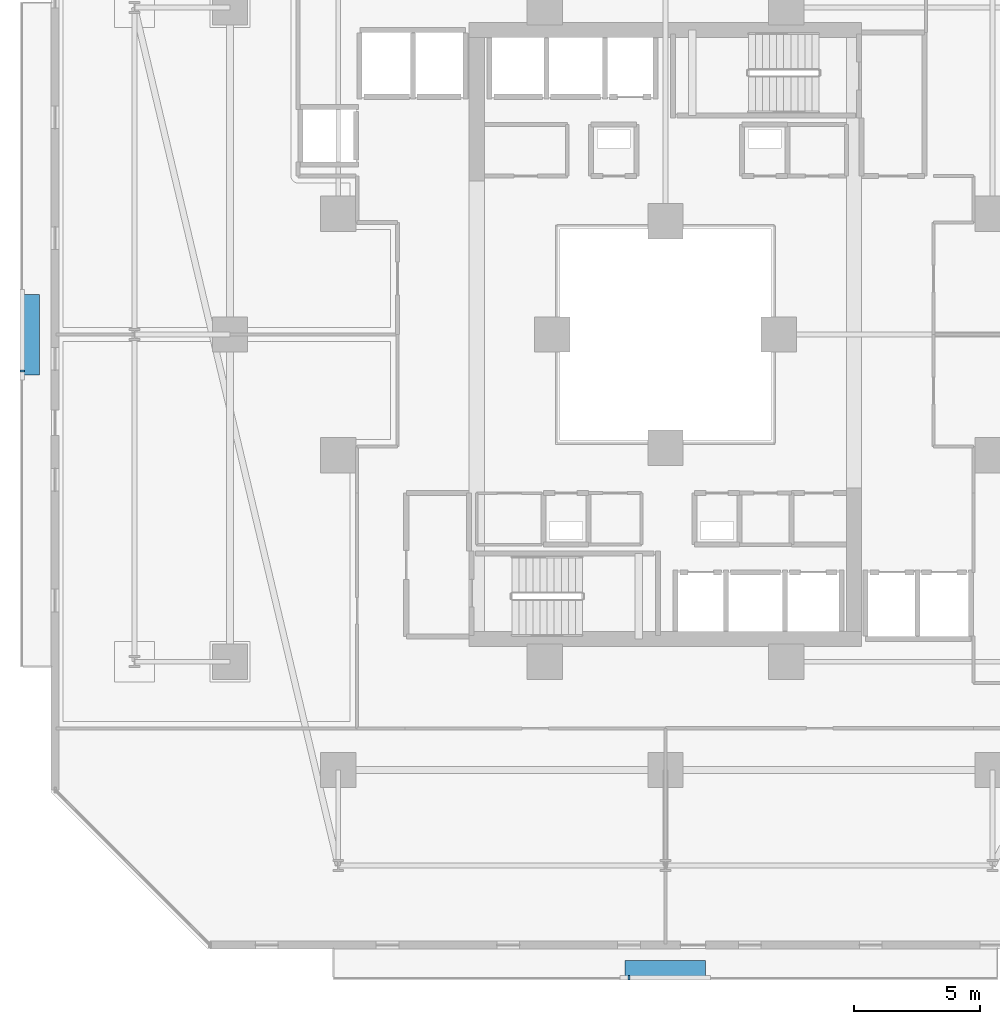
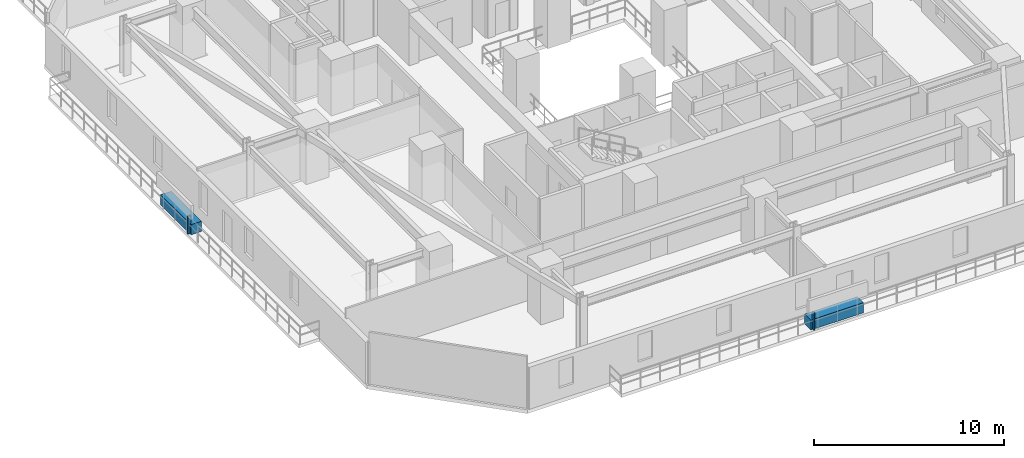
# One storey, part 27 of 34: 4 discrete accessories.
"""IFC4 building model written with IfcOpenShell, lengths in metres."""

from ifc_helpers import new_model, si_unit, direction, frame, origin, origin_2d, place, context, subcontext, project, spatial, rectangle, extrude, material, type_object, element, save


model = new_model("IFC4")

# Units and contexts
model_context = context("Model", 3, precision=1e-05, world=origin(), true_north=direction((0.0, 1.0)))
body_context = subcontext(model_context, "Body", "Model", "MODEL_VIEW")
ifc_project = project(units=[si_unit("LENGTHUNIT", "METRE"), si_unit("AREAUNIT", "SQUARE_METRE"), si_unit("VOLUMEUNIT", "CUBIC_METRE"), si_unit("PLANEANGLEUNIT", "RADIAN"), si_unit("MASSUNIT", "GRAM", prefix="KILO")], contexts=[model_context])

# Site, building, storey
site_placement = place(None, origin())
site = spatial("IfcSite", under=ifc_project, at=site_placement, CompositionType="ELEMENT")
building_placement = place(site_placement, origin())
building = spatial("IfcBuilding", under=site, at=building_placement, Name="Thornwick Lancets Civic Towers", CompositionType="ELEMENT")
storey_placement = place(building_placement, frame((0.0, 0.0, 27.89990234375)))
storey = spatial("IfcBuildingStorey", under=building, at=storey_placement, Name="L06", CompositionType="ELEMENT", Elevation=27.89990234375)

# Discrete accessories
ifc_material_1 = material(Name="Planted terracotta greenery planter", Category="masonry")
discrete_accessory_type_1 = type_object("IfcDiscreteAccessoryType", Name="ACC_PLANTER_BOX", PredefinedType="USERDEFINED", material=ifc_material_1)
discrete_accessory_1_placement = place(storey_placement, frame((25.5, 1.800048828125, 0.000244140625), z_axis=(0.0, 0.0, 1.0), x_axis=(1.0, 0.0, 0.0)))
element("IfcDiscreteAccessory", 1, at=discrete_accessory_1_placement, inside=storey, type_object=discrete_accessory_type_1, Name="L06 Tower A Balcony Greenery Planter S", ObjectType="PLANTER", PredefinedType="USERDEFINED", context=body_context, shape_type="SweptSolid", body=[
    extrude(rectangle(XDim=3.199951171875, YDim=0.64990234375, at=origin_2d()), origin(), (0.0, 0.0, 1.0), 0.64990234375),
])
discrete_accessory_2_placement = place(storey_placement, frame((0.300048828125, 27.0, 0.000244140625), z_axis=(0.0, 0.0, 1.0), x_axis=(1.0, 0.0, 0.0)))
element("IfcDiscreteAccessory", 2, at=discrete_accessory_2_placement, inside=storey, type_object=discrete_accessory_type_1, Name="L06 Tower A Balcony Greenery Planter W", ObjectType="PLANTER", PredefinedType="USERDEFINED", context=body_context, shape_type="SweptSolid", body=[
    extrude(rectangle(XDim=0.64990234375, YDim=3.199951171875, at=origin_2d()), origin(), (0.0, 0.0, 1.0), 0.64990234375),
])
ifc_material_2 = material(Name="Stainless steel S355", Category="steel")
discrete_accessory_type_2 = type_object("IfcDiscreteAccessoryType", Name="ACC_SCREEN_BRACKET", PredefinedType="BRACKET", material=ifc_material_2)
for number, where, z_axis, x_axis, name in (
    (3, (24.050048828125, 1.43994140625, 0.000244140625), (0.0, 0.0, 1.0), (1.0, 0.0, 0.0), "L06 Tower A Balcony Screen Stanchion Bracket S-1"),
    (4, (-0.06005859375, 25.550048828125, 0.000244140625), (0.0, 0.0, 1.0), (0.0, 1.0, 0.0), "L06 Tower A Balcony Screen Stanchion Bracket W-1"),
):
    element("IfcDiscreteAccessory", number, at=place(storey_placement, frame(where, z_axis=z_axis, x_axis=x_axis)), inside=storey, type_object=discrete_accessory_type_2, Name=name, PredefinedType="BRACKET", context=body_context, shape_type="SweptSolid", body=[
        extrude(rectangle(XDim=0.080078125, YDim=0.179931640625, at=origin_2d()), origin(), (0.0, 0.0, 1.0), 1.14990234375),
    ])

save(model, "model.ifc")
